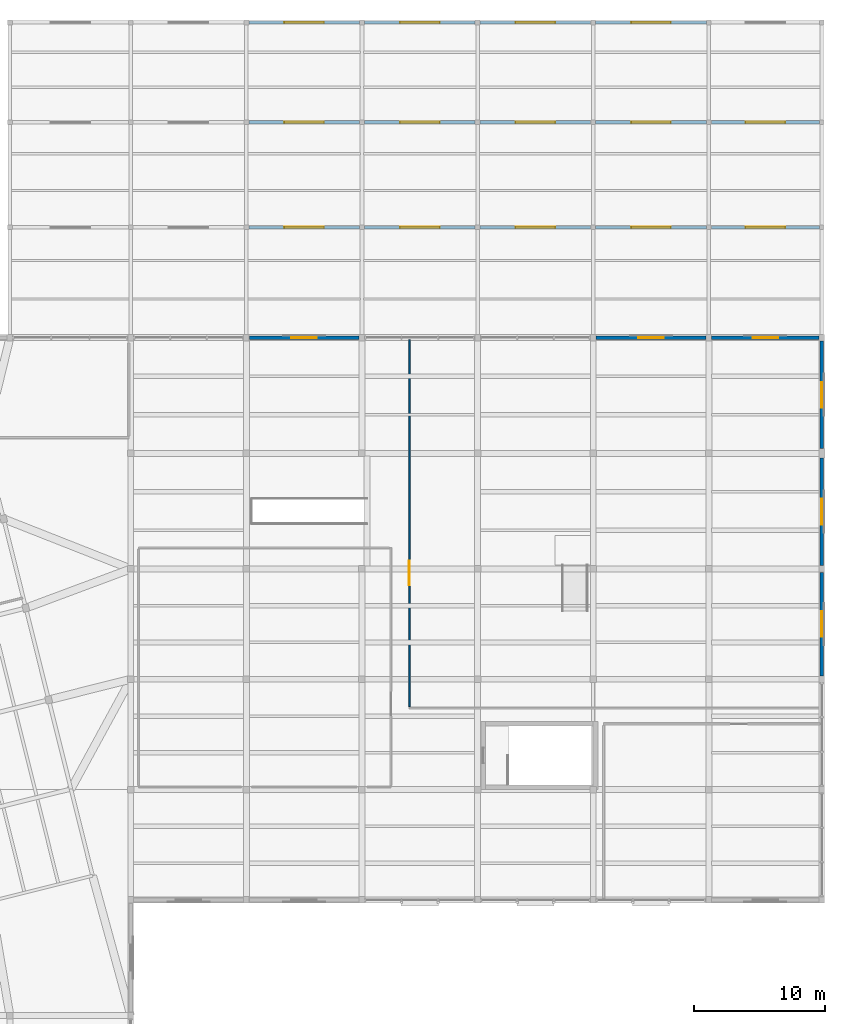
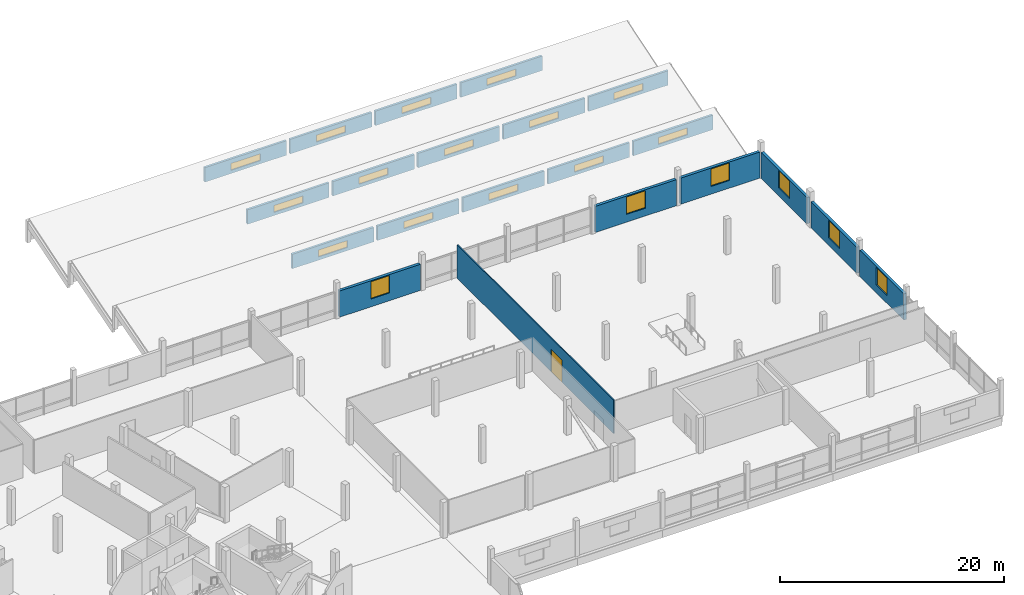
# One storey, part 55 of 62: 21 walls, 20 windows, 1 door, 21 openings.
"""IFC4 building model written with IfcOpenShell, lengths in metres."""

from ifc_helpers import new_model, si_unit, direction, frame, frame_2d, origin, place, context, subcontext, project, spatial, rectangle, extrude, material, layer, layer_set, type_object, element, fill, save


model = new_model("IFC4")

# Units and contexts
model_context = context("Model", 3, precision=1e-05, world=origin(), true_north=direction((0.0, 1.0)))
body_context = subcontext(model_context, "Body", "Model", "MODEL_VIEW")
ifc_project = project(units=[si_unit("LENGTHUNIT", "METRE"), si_unit("AREAUNIT", "SQUARE_METRE"), si_unit("VOLUMEUNIT", "CUBIC_METRE"), si_unit("PLANEANGLEUNIT", "RADIAN"), si_unit("MASSUNIT", "GRAM", prefix="KILO")], contexts=[model_context])

# Site, building, storey
site_placement = place(None, origin())
site = spatial("IfcSite", under=ifc_project, at=site_placement, CompositionType="ELEMENT")
building_placement = place(site_placement, origin())
building = spatial("IfcBuilding", under=site, at=building_placement, Name="Meriwether Solvik Hall", CompositionType="ELEMENT")
storey_placement = place(building_placement, frame((0.0, 0.0, 14.39990234375)))
storey = spatial("IfcBuildingStorey", under=building, at=storey_placement, Name="L03", CompositionType="ELEMENT", Elevation=14.39990234375)

# Wall, opening, window
ifc_material_1 = material(Name="Cross-Laminated Timber and Mineral-Wool Insulation", Category="wood")
ifc_layer_1 = layer(ifc_material_1, 0.2900390625)
ifc_layer_set_1 = layer_set([ifc_layer_1], Name="Cross-Laminated Timber and Mineral-Wool Insulation")
wall_type_1 = type_object("IfcWallType", Name="WALL-EXT-290", PredefinedType="SOLIDWALL", material=ifc_layer_set_1)
wall_1_placement = place(storey_placement, frame((123.221923828125, 92.800048828125, 0.0), z_axis=(0.0, 0.0, 1.0), x_axis=(1.0, 0.0, 0.0)))
wall_1 = element("IfcWall", 1, at=wall_1_placement, inside=storey, type_object=wall_type_1, Name="L03 N Wing Facade Wall XK_14_19", PredefinedType="SOLIDWALL", context=body_context, shape_type="SweptSolid", body=[
    extrude(rectangle(XDim=8.35595703125, YDim=0.2900390625, at=frame_2d((4.177978515625, 0.0))), origin(), (0.0, 0.0, 1.0), 2.85498046875),
])
opening_1_placement = place(wall_1_placement, frame((3.202880859375, 0.0, 0.85009765625)))
opening_1 = element("IfcOpeningElement", 2, at=opening_1_placement, cuts=wall_1, Name="Opening WN-158", PredefinedType="OPENING", context=body_context, shape_type="SweptSolid", body=[
    extrude(rectangle(XDim=1.949951171875, YDim=1.89990234375, at=frame_2d((0.97509765625, 0.949951171875))), frame((0.0, 0.156982421875, 0.0), z_axis=(0.0, -1.0, 0.0), x_axis=(1.0, 0.0, 0.0)), (0.0, 0.0, 1.0), 0.31396484375),
])
ifc_material_2 = material(Name="Thermally Broken Anodised Aluminium and Triple Low-E Glass", Category="aluminium")
window_type_1 = type_object("IfcWindowType", Name="WIN-TW-LOW-195X190", PartitioningType="SINGLE_PANEL", PredefinedType="WINDOW", material=ifc_material_2)
window_1_placement = place(opening_1_placement, origin())
window_1 = element("IfcWindow", 3, at=window_1_placement, inside=storey, type_object=window_type_1, Name="L03 N Window XK_14_19", OverallHeight=1.89990234375, OverallWidth=1.949951171875, PartitioningType="SINGLE_PANEL", PredefinedType="WINDOW", context=body_context, shape_type="SweptSolid", body=[
    extrude(rectangle(XDim=1.949951171875, YDim=1.89990234375, at=frame_2d((0.97509765625, 0.949951171875))), frame((0.0, 0.030029296875, 0.0), z_axis=(0.0, -1.0, 0.0), x_axis=(1.0, 0.0, 0.0)), (0.0, 0.0, 1.0), 0.06005859375),
])
fill(opening_1, window_1)

wall_2_placement = place(storey_placement, frame((149.6220703125, 92.800048828125, 0.0), z_axis=(0.0, 0.0, 1.0), x_axis=(1.0, 0.0, 0.0)))
wall_2 = element("IfcWall", 4, at=wall_2_placement, inside=storey, type_object=wall_type_1, Name="L03 N Wing Facade Wall XK_17_22", PredefinedType="SOLIDWALL", context=body_context, shape_type="SweptSolid", body=[
    extrude(rectangle(XDim=8.35595703125, YDim=0.2900390625, at=frame_2d((4.177978515625, 0.0))), origin(), (0.0, 0.0, 1.0), 2.85498046875),
])
opening_2_placement = place(wall_2_placement, frame((3.202880859375, 0.0, 0.85009765625)))
opening_2 = element("IfcOpeningElement", 5, at=opening_2_placement, cuts=wall_2, Name="Opening WN-158", PredefinedType="OPENING", context=body_context, shape_type="SweptSolid", body=[
    extrude(rectangle(XDim=1.949951171875, YDim=1.89990234375, at=frame_2d((0.97509765625, 0.949951171875))), frame((0.0, 0.156982421875, 0.0), z_axis=(0.0, -1.0, 0.0), x_axis=(1.0, 0.0, 0.0)), (0.0, 0.0, 1.0), 0.31396484375),
])
window_2_placement = place(opening_2_placement, origin())
window_2 = element("IfcWindow", 6, at=window_2_placement, inside=storey, type_object=window_type_1, Name="L03 N Window XK_17_22", OverallHeight=1.89990234375, OverallWidth=1.949951171875, PartitioningType="SINGLE_PANEL", PredefinedType="WINDOW", context=body_context, shape_type="SweptSolid", body=[
    extrude(rectangle(XDim=1.949951171875, YDim=1.89990234375, at=frame_2d((0.97509765625, 0.949951171875))), frame((0.0, 0.030029296875, 0.0), z_axis=(0.0, -1.0, 0.0), x_axis=(1.0, 0.0, 0.0)), (0.0, 0.0, 1.0), 0.06005859375),
])
fill(opening_2, window_2)

wall_3_placement = place(storey_placement, frame((158.422119140625, 92.800048828125, 0.0), z_axis=(0.0, 0.0, 1.0), x_axis=(1.0, 0.0, 0.0)))
wall_3 = element("IfcWall", 7, at=wall_3_placement, inside=storey, type_object=wall_type_1, Name="L03 N Wing Facade Wall XK_18_23", PredefinedType="SOLIDWALL", context=body_context, shape_type="SweptSolid", body=[
    extrude(rectangle(XDim=8.15576171875, YDim=0.2900390625, at=frame_2d((4.077880859375, 0.0))), origin(), (0.0, 0.0, 1.0), 2.85498046875),
])
opening_3_placement = place(wall_3_placement, frame((3.10302734375, 0.0, 0.85009765625)))
opening_3 = element("IfcOpeningElement", 8, at=opening_3_placement, cuts=wall_3, Name="Opening WN-158", PredefinedType="OPENING", context=body_context, shape_type="SweptSolid", body=[
    extrude(rectangle(XDim=1.949951171875, YDim=1.89990234375, at=frame_2d((0.97509765625, 0.949951171875))), frame((0.0, 0.156982421875, 0.0), z_axis=(0.0, -1.0, 0.0), x_axis=(1.0, 0.0, 0.0)), (0.0, 0.0, 1.0), 0.31396484375),
])
window_3_placement = place(opening_3_placement, origin())
window_3 = element("IfcWindow", 9, at=window_3_placement, inside=storey, type_object=window_type_1, Name="L03 N Window XK_18_23", OverallHeight=1.89990234375, OverallWidth=1.949951171875, PartitioningType="SINGLE_PANEL", PredefinedType="WINDOW", context=body_context, shape_type="SweptSolid", body=[
    extrude(rectangle(XDim=1.949951171875, YDim=1.89990234375, at=frame_2d((0.97509765625, 0.949951171875))), frame((0.0, 0.030029296875, 0.0), z_axis=(0.0, -1.0, 0.0), x_axis=(1.0, 0.0, 0.0)), (0.0, 0.0, 1.0), 0.06005859375),
])
fill(opening_3, window_3)

wall_4_placement = place(storey_placement, frame((166.800048828125, 74.9404296875, 0.0), z_axis=(0.0, 0.0, 1.0), x_axis=(0.0, -1.0, 0.0)))
wall_4 = element("IfcWall", 10, at=wall_4_placement, inside=storey, type_object=wall_type_1, Name="L03 E Wing Facade Wall Y19_8_41", PredefinedType="SOLIDWALL", context=body_context, shape_type="SweptSolid", body=[
    extrude(rectangle(XDim=7.880859375, YDim=0.2900390625, at=frame_2d((3.9404296875, 0.0))), origin(), (0.0, 0.0, 1.0), 2.85498046875),
])
opening_4_placement = place(wall_4_placement, frame((2.965576171875, 0.0, 0.85009765625)))
opening_4 = element("IfcOpeningElement", 11, at=opening_4_placement, cuts=wall_4, Name="Opening WN-158", PredefinedType="OPENING", context=body_context, shape_type="SweptSolid", body=[
    extrude(rectangle(XDim=1.949951171875, YDim=1.89990234375, at=frame_2d((0.97509765625, 0.949951171875))), frame((0.0, 0.156982421875, 0.0), z_axis=(0.0, -1.0, 0.0), x_axis=(1.0, 0.0, 0.0)), (0.0, 0.0, 1.0), 0.31396484375),
])
window_4_placement = place(opening_4_placement, origin())
window_4 = element("IfcWindow", 12, at=window_4_placement, inside=storey, type_object=window_type_1, Name="L03 E Window Y19_8_41", OverallHeight=1.89990234375, OverallWidth=1.949951171875, PartitioningType="SINGLE_PANEL", PredefinedType="WINDOW", context=body_context, shape_type="SweptSolid", body=[
    extrude(rectangle(XDim=1.949951171875, YDim=1.89990234375, at=frame_2d((0.97509765625, 0.949951171875))), frame((0.0, 0.030029296875, 0.0), z_axis=(0.0, -1.0, 0.0), x_axis=(1.0, 0.0, 0.0)), (0.0, 0.0, 1.0), 0.06005859375),
])
fill(opening_4, window_4)

wall_5_placement = place(storey_placement, frame((166.800048828125, 83.637939453125, 0.0), z_axis=(0.0, 0.0, 1.0), x_axis=(0.0, -1.0, 0.0)))
wall_5 = element("IfcWall", 13, at=wall_5_placement, inside=storey, type_object=wall_type_1, Name="L03 E Wing Facade Wall Y19_9_42", PredefinedType="SOLIDWALL", context=body_context, shape_type="SweptSolid", body=[
    extrude(rectangle(XDim=8.178466796875, YDim=0.2900390625, at=frame_2d((4.08935546875, 0.0))), origin(), (0.0, 0.0, 1.0), 2.85498046875),
])
opening_5_placement = place(wall_5_placement, frame((3.1142578125, 0.0, 0.85009765625)))
opening_5 = element("IfcOpeningElement", 14, at=opening_5_placement, cuts=wall_5, Name="Opening WN-158", PredefinedType="OPENING", context=body_context, shape_type="SweptSolid", body=[
    extrude(rectangle(XDim=1.949951171875, YDim=1.89990234375, at=frame_2d((0.97509765625, 0.949951171875))), frame((0.0, 0.156982421875, 0.0), z_axis=(0.0, -1.0, 0.0), x_axis=(1.0, 0.0, 0.0)), (0.0, 0.0, 1.0), 0.31396484375),
])
window_5_placement = place(opening_5_placement, origin())
window_5 = element("IfcWindow", 15, at=window_5_placement, inside=storey, type_object=window_type_1, Name="L03 E Window Y19_9_42", OverallHeight=1.89990234375, OverallWidth=1.949951171875, PartitioningType="SINGLE_PANEL", PredefinedType="WINDOW", context=body_context, shape_type="SweptSolid", body=[
    extrude(rectangle(XDim=1.949951171875, YDim=1.89990234375, at=frame_2d((0.97509765625, 0.949951171875))), frame((0.0, 0.030029296875, 0.0), z_axis=(0.0, -1.0, 0.0), x_axis=(1.0, 0.0, 0.0)), (0.0, 0.0, 1.0), 0.06005859375),
])
fill(opening_5, window_5)

wall_6_placement = place(storey_placement, frame((166.800048828125, 92.54052734375, 0.0), z_axis=(0.0, 0.0, 1.0), x_axis=(0.0, -1.0, 0.0)))
wall_6 = element("IfcWall", 16, at=wall_6_placement, inside=storey, type_object=wall_type_1, Name="L03 E Wing Facade Wall Y19_10_43", PredefinedType="SOLIDWALL", context=body_context, shape_type="SweptSolid", body=[
    extrude(rectangle(XDim=8.178466796875, YDim=0.2900390625, at=frame_2d((4.08935546875, 0.0))), origin(), (0.0, 0.0, 1.0), 2.85498046875),
])
opening_6_placement = place(wall_6_placement, frame((3.1142578125, 0.0, 0.85009765625)))
opening_6 = element("IfcOpeningElement", 17, at=opening_6_placement, cuts=wall_6, Name="Opening WN-158", PredefinedType="OPENING", context=body_context, shape_type="SweptSolid", body=[
    extrude(rectangle(XDim=1.949951171875, YDim=1.89990234375, at=frame_2d((0.97509765625, 0.949951171875))), frame((0.0, 0.156982421875, 0.0), z_axis=(0.0, -1.0, 0.0), x_axis=(1.0, 0.0, 0.0)), (0.0, 0.0, 1.0), 0.31396484375),
])
window_6_placement = place(opening_6_placement, origin())
window_6 = element("IfcWindow", 18, at=window_6_placement, inside=storey, type_object=window_type_1, Name="L03 E Window Y19_10_43", OverallHeight=1.89990234375, OverallWidth=1.949951171875, PartitioningType="SINGLE_PANEL", PredefinedType="WINDOW", context=body_context, shape_type="SweptSolid", body=[
    extrude(rectangle(XDim=1.949951171875, YDim=1.89990234375, at=frame_2d((0.97509765625, 0.949951171875))), frame((0.0, 0.030029296875, 0.0), z_axis=(0.0, -1.0, 0.0), x_axis=(1.0, 0.0, 0.0)), (0.0, 0.0, 1.0), 0.06005859375),
])
fill(opening_6, window_6)

# Wall, opening, door
ifc_material_3 = material(Name="Tempered Laminated Glass in Anodised Aluminium Frame", Category="aluminium")
ifc_layer_2 = layer(ifc_material_3, 0.112060546875)
ifc_layer_set_2 = layer_set([ifc_layer_2], Name="Tempered Laminated Glass in Anodised Aluminium Frame")
wall_type_2 = type_object("IfcWallType", Name="WALL-GLZ-112", PredefinedType="PARTITIONING", material=ifc_layer_set_2)
wall_7_placement = place(storey_placement, frame((135.39990234375, 64.719970703125, 0.0), z_axis=(0.0, 0.0, 1.0), x_axis=(0.0, 1.0, 0.0)))
wall_7 = element("IfcWall", 19, at=wall_7_placement, inside=storey, type_object=wall_type_2, Name="L03 Interior Partition lib_read_w", PredefinedType="PARTITIONING", context=body_context, shape_type="SweptSolid", body=[
    extrude(rectangle(XDim=27.929931640625, YDim=0.112060546875, at=frame_2d((13.96484375, 0.0))), origin(), (0.0, 0.0, 1.0), 3.655029296875),
])
opening_7_placement = place(wall_7_placement, frame((9.219482421875, 0.0, 0.0)))
opening_7 = element("IfcOpeningElement", 20, at=opening_7_placement, cuts=wall_7, Name="Opening D-156", PredefinedType="OPENING", context=body_context, shape_type="SweptSolid", body=[
    extrude(rectangle(XDim=1.89990234375, YDim=2.449951171875, at=frame_2d((0.949951171875, 1.22509765625))), frame((0.0, 0.06787109375, 0.0), z_axis=(0.0, -1.0, 0.0), x_axis=(1.0, 0.0, 0.0)), (0.0, 0.0, 1.0), 0.135986328125),
])
ifc_material_4 = material(Name="Solid-Core Rift White Oak Timber", Category="wood")
door_type = type_object("IfcDoorType", Name="DR-HALL-1900", OperationType="DOUBLE_DOOR_SINGLE_SWING", PredefinedType="DOOR", material=ifc_material_4)
door_placement = place(opening_7_placement, origin())
door = element("IfcDoor", 21, at=door_placement, inside=storey, type_object=door_type, Name="Community Library Reading Hall Door", OperationType="DOUBLE_DOOR_SINGLE_SWING", OverallHeight=2.449951171875, OverallWidth=1.89990234375, PredefinedType="DOOR", context=body_context, shape_type="SweptSolid", body=[
    extrude(rectangle(XDim=1.89990234375, YDim=2.449951171875, at=frame_2d((0.949951171875, 1.22509765625))), frame((0.0, 0.02490234375, 0.0), z_axis=(0.0, -1.0, 0.0), x_axis=(1.0, 0.0, 0.0)), (0.0, 0.0, 1.0), 0.050048828125),
])
fill(opening_7, door)

# Wall, opening, window
ifc_material_5 = material(Name="Cross-Laminated Timber and Polyisocyanurate Insulation", Category="wood")
ifc_layer_3 = layer(ifc_material_5, 0.22998046875)
ifc_layer_set_3 = layer_set([ifc_layer_3], Name="Cross-Laminated Timber and Polyisocyanurate Insulation")
wall_type_3 = type_object("IfcWallType", Name="WALL-MON-230", PredefinedType="SOLIDWALL", material=ifc_layer_set_3)
wall_8_placement = place(storey_placement, frame((131.610107421875, 101.199951171875, 0.175048828125), z_axis=(0.0, 0.0, 1.0), x_axis=(-1.0, 0.0, 0.0)))
wall_8 = element("IfcWall", 22, at=wall_8_placement, inside=storey, type_object=wall_type_3, Name="Sawtooth Monitor Clerestory Wall w2_saw_1_b3", PredefinedType="SOLIDWALL", context=body_context, shape_type="SweptSolid", body=[
    extrude(rectangle(XDim=8.420166015625, YDim=0.22998046875, at=frame_2d((4.2099609375, 0.0))), origin(), (0.0, 0.0, 1.0), 1.57568359375),
])
opening_8_placement = place(wall_8_placement, frame((2.7099609375, 0.0, 0.35009765625)))
opening_8 = element("IfcOpeningElement", 23, at=opening_8_placement, cuts=wall_8, Name="Opening SK-164", PredefinedType="OPENING", context=body_context, shape_type="SweptSolid", body=[
    extrude(rectangle(XDim=3.0, YDim=0.75, at=frame_2d((1.5, 0.375))), frame((0.0, 0.126953125, 0.0), z_axis=(0.0, -1.0, 0.0), x_axis=(1.0, 0.0, 0.0)), (0.0, 0.0, 1.0), 0.25390625),
])
ifc_material_6 = material(Name="Thermally Broken Anodised Aluminium and Triple Low-E Glass", Category="aluminium")
window_type_2 = type_object("IfcWindowType", Name="SKY-MON-300X075", PartitioningType="SINGLE_PANEL", PredefinedType="SKYLIGHT", material=ifc_material_6)
window_7_placement = place(opening_8_placement, origin())
window_7 = element("IfcWindow", 24, at=window_7_placement, inside=storey, type_object=window_type_2, Name="Sawtooth Northlight Skylight w2_saw_1_b3-1", OverallHeight=0.75, OverallWidth=3.0, PartitioningType="SINGLE_PANEL", PredefinedType="SKYLIGHT", context=body_context, shape_type="SweptSolid", body=[
    extrude(rectangle(XDim=3.0, YDim=0.75, at=frame_2d((1.5, 0.375))), frame((0.0, 0.030029296875, 0.0), z_axis=(0.0, -1.0, 0.0), x_axis=(1.0, 0.0, 0.0)), (0.0, 0.0, 1.0), 0.06005859375),
])
fill(opening_8, window_7)

wall_9_placement = place(storey_placement, frame((140.409912109375, 101.199951171875, 0.175048828125), z_axis=(0.0, 0.0, 1.0), x_axis=(-1.0, 0.0, 0.0)))
wall_9 = element("IfcWall", 25, at=wall_9_placement, inside=storey, type_object=wall_type_3, Name="Sawtooth Monitor Clerestory Wall w2_saw_1_b4", PredefinedType="SOLIDWALL", context=body_context, shape_type="SweptSolid", body=[
    extrude(rectangle(XDim=8.419921875, YDim=0.22998046875, at=frame_2d((4.2099609375, 0.0))), origin(), (0.0, 0.0, 1.0), 1.57568359375),
])
opening_9_placement = place(wall_9_placement, frame((2.7099609375, 0.0, 0.35009765625)))
opening_9 = element("IfcOpeningElement", 26, at=opening_9_placement, cuts=wall_9, Name="Opening SK-164", PredefinedType="OPENING", context=body_context, shape_type="SweptSolid", body=[
    extrude(rectangle(XDim=3.0, YDim=0.75, at=frame_2d((1.5, 0.375))), frame((0.0, 0.126953125, 0.0), z_axis=(0.0, -1.0, 0.0), x_axis=(1.0, 0.0, 0.0)), (0.0, 0.0, 1.0), 0.25390625),
])
window_8_placement = place(opening_9_placement, origin())
window_8 = element("IfcWindow", 27, at=window_8_placement, inside=storey, type_object=window_type_2, Name="Sawtooth Northlight Skylight w2_saw_1_b4-1", OverallHeight=0.75, OverallWidth=3.0, PartitioningType="SINGLE_PANEL", PredefinedType="SKYLIGHT", context=body_context, shape_type="SweptSolid", body=[
    extrude(rectangle(XDim=3.0, YDim=0.75, at=frame_2d((1.5, 0.375))), frame((0.0, 0.030029296875, 0.0), z_axis=(0.0, -1.0, 0.0), x_axis=(1.0, 0.0, 0.0)), (0.0, 0.0, 1.0), 0.06005859375),
])
fill(opening_9, window_8)

wall_10_placement = place(storey_placement, frame((149.2099609375, 101.199951171875, 0.175048828125), z_axis=(0.0, 0.0, 1.0), x_axis=(-1.0, 0.0, 0.0)))
wall_10 = element("IfcWall", 28, at=wall_10_placement, inside=storey, type_object=wall_type_3, Name="Sawtooth Monitor Clerestory Wall w2_saw_1_b5", PredefinedType="SOLIDWALL", context=body_context, shape_type="SweptSolid", body=[
    extrude(rectangle(XDim=8.419921875, YDim=0.22998046875, at=frame_2d((4.2099609375, 0.0))), origin(), (0.0, 0.0, 1.0), 1.57568359375),
])
opening_10_placement = place(wall_10_placement, frame((2.7099609375, 0.0, 0.35009765625)))
opening_10 = element("IfcOpeningElement", 29, at=opening_10_placement, cuts=wall_10, Name="Opening SK-164", PredefinedType="OPENING", context=body_context, shape_type="SweptSolid", body=[
    extrude(rectangle(XDim=3.0, YDim=0.75, at=frame_2d((1.5, 0.375))), frame((0.0, 0.126953125, 0.0), z_axis=(0.0, -1.0, 0.0), x_axis=(1.0, 0.0, 0.0)), (0.0, 0.0, 1.0), 0.25390625),
])
window_9_placement = place(opening_10_placement, origin())
window_9 = element("IfcWindow", 30, at=window_9_placement, inside=storey, type_object=window_type_2, Name="Sawtooth Northlight Skylight w2_saw_1_b5-1", OverallHeight=0.75, OverallWidth=3.0, PartitioningType="SINGLE_PANEL", PredefinedType="SKYLIGHT", context=body_context, shape_type="SweptSolid", body=[
    extrude(rectangle(XDim=3.0, YDim=0.75, at=frame_2d((1.5, 0.375))), frame((0.0, 0.030029296875, 0.0), z_axis=(0.0, -1.0, 0.0), x_axis=(1.0, 0.0, 0.0)), (0.0, 0.0, 1.0), 0.06005859375),
])
fill(opening_10, window_9)

wall_11_placement = place(storey_placement, frame((158.010009765625, 101.199951171875, 0.175048828125), z_axis=(0.0, 0.0, 1.0), x_axis=(-1.0, 0.0, 0.0)))
wall_11 = element("IfcWall", 31, at=wall_11_placement, inside=storey, type_object=wall_type_3, Name="Sawtooth Monitor Clerestory Wall w2_saw_1_b6", PredefinedType="SOLIDWALL", context=body_context, shape_type="SweptSolid", body=[
    extrude(rectangle(XDim=8.419921875, YDim=0.22998046875, at=frame_2d((4.2099609375, 0.0))), origin(), (0.0, 0.0, 1.0), 1.57568359375),
])
opening_11_placement = place(wall_11_placement, frame((2.7099609375, 0.0, 0.35009765625)))
opening_11 = element("IfcOpeningElement", 32, at=opening_11_placement, cuts=wall_11, Name="Opening SK-164", PredefinedType="OPENING", context=body_context, shape_type="SweptSolid", body=[
    extrude(rectangle(XDim=3.0, YDim=0.75, at=frame_2d((1.5, 0.375))), frame((0.0, 0.126953125, 0.0), z_axis=(0.0, -1.0, 0.0), x_axis=(1.0, 0.0, 0.0)), (0.0, 0.0, 1.0), 0.25390625),
])
window_10_placement = place(opening_11_placement, origin())
window_10 = element("IfcWindow", 33, at=window_10_placement, inside=storey, type_object=window_type_2, Name="Sawtooth Northlight Skylight w2_saw_1_b6-1", OverallHeight=0.75, OverallWidth=3.0, PartitioningType="SINGLE_PANEL", PredefinedType="SKYLIGHT", context=body_context, shape_type="SweptSolid", body=[
    extrude(rectangle(XDim=3.0, YDim=0.75, at=frame_2d((1.5, 0.375))), frame((0.0, 0.030029296875, 0.0), z_axis=(0.0, -1.0, 0.0), x_axis=(1.0, 0.0, 0.0)), (0.0, 0.0, 1.0), 0.06005859375),
])
fill(opening_11, window_10)

wall_12_placement = place(storey_placement, frame((166.610107421875, 101.199951171875, 0.175048828125), z_axis=(0.0, 0.0, 1.0), x_axis=(-1.0, 0.0, 0.0)))
wall_12 = element("IfcWall", 34, at=wall_12_placement, inside=storey, type_object=wall_type_3, Name="Sawtooth Monitor Clerestory Wall w2_saw_1_b7", PredefinedType="SOLIDWALL", context=body_context, shape_type="SweptSolid", body=[
    extrude(rectangle(XDim=8.22021484375, YDim=0.22998046875, at=frame_2d((4.110107421875, 0.0))), origin(), (0.0, 0.0, 1.0), 1.57568359375),
])
opening_12_placement = place(wall_12_placement, frame((2.610107421875, 0.0, 0.35009765625)))
opening_12 = element("IfcOpeningElement", 35, at=opening_12_placement, cuts=wall_12, Name="Opening SK-164", PredefinedType="OPENING", context=body_context, shape_type="SweptSolid", body=[
    extrude(rectangle(XDim=3.0, YDim=0.75, at=frame_2d((1.5, 0.375))), frame((0.0, 0.126953125, 0.0), z_axis=(0.0, -1.0, 0.0), x_axis=(1.0, 0.0, 0.0)), (0.0, 0.0, 1.0), 0.25390625),
])
window_11_placement = place(opening_12_placement, origin())
window_11 = element("IfcWindow", 36, at=window_11_placement, inside=storey, type_object=window_type_2, Name="Sawtooth Northlight Skylight w2_saw_1_b7-1", OverallHeight=0.75, OverallWidth=3.0, PartitioningType="SINGLE_PANEL", PredefinedType="SKYLIGHT", context=body_context, shape_type="SweptSolid", body=[
    extrude(rectangle(XDim=3.0, YDim=0.75, at=frame_2d((1.5, 0.375))), frame((0.0, 0.030029296875, 0.0), z_axis=(0.0, -1.0, 0.0), x_axis=(1.0, 0.0, 0.0)), (0.0, 0.0, 1.0), 0.06005859375),
])
fill(opening_12, window_11)

wall_13_placement = place(storey_placement, frame((131.610107421875, 109.199951171875, 0.175048828125), z_axis=(0.0, 0.0, 1.0), x_axis=(-1.0, 0.0, 0.0)))
wall_13 = element("IfcWall", 37, at=wall_13_placement, inside=storey, type_object=wall_type_3, Name="Sawtooth Monitor Clerestory Wall w2_saw_2_b3", PredefinedType="SOLIDWALL", context=body_context, shape_type="SweptSolid", body=[
    extrude(rectangle(XDim=8.420166015625, YDim=0.22998046875, at=frame_2d((4.2099609375, 0.0))), origin(), (0.0, 0.0, 1.0), 1.5751953125),
])
opening_13_placement = place(wall_13_placement, frame((2.7099609375, 0.0, 0.35009765625)))
opening_13 = element("IfcOpeningElement", 38, at=opening_13_placement, cuts=wall_13, Name="Opening SK-164", PredefinedType="OPENING", context=body_context, shape_type="SweptSolid", body=[
    extrude(rectangle(XDim=3.0, YDim=0.75, at=frame_2d((1.5, 0.375))), frame((0.0, 0.126953125, 0.0), z_axis=(0.0, -1.0, 0.0), x_axis=(1.0, 0.0, 0.0)), (0.0, 0.0, 1.0), 0.25390625),
])
window_12_placement = place(opening_13_placement, origin())
window_12 = element("IfcWindow", 39, at=window_12_placement, inside=storey, type_object=window_type_2, Name="Sawtooth Northlight Skylight w2_saw_2_b3-1", OverallHeight=0.75, OverallWidth=3.0, PartitioningType="SINGLE_PANEL", PredefinedType="SKYLIGHT", context=body_context, shape_type="SweptSolid", body=[
    extrude(rectangle(XDim=3.0, YDim=0.75, at=frame_2d((1.5, 0.375))), frame((0.0, 0.030029296875, 0.0), z_axis=(0.0, -1.0, 0.0), x_axis=(1.0, 0.0, 0.0)), (0.0, 0.0, 1.0), 0.06005859375),
])
fill(opening_13, window_12)

wall_14_placement = place(storey_placement, frame((140.409912109375, 109.199951171875, 0.175048828125), z_axis=(0.0, 0.0, 1.0), x_axis=(-1.0, 0.0, 0.0)))
wall_14 = element("IfcWall", 40, at=wall_14_placement, inside=storey, type_object=wall_type_3, Name="Sawtooth Monitor Clerestory Wall w2_saw_2_b4", PredefinedType="SOLIDWALL", context=body_context, shape_type="SweptSolid", body=[
    extrude(rectangle(XDim=8.419921875, YDim=0.22998046875, at=frame_2d((4.2099609375, 0.0))), origin(), (0.0, 0.0, 1.0), 1.5751953125),
])
opening_14_placement = place(wall_14_placement, frame((2.7099609375, 0.0, 0.35009765625)))
opening_14 = element("IfcOpeningElement", 41, at=opening_14_placement, cuts=wall_14, Name="Opening SK-164", PredefinedType="OPENING", context=body_context, shape_type="SweptSolid", body=[
    extrude(rectangle(XDim=3.0, YDim=0.75, at=frame_2d((1.5, 0.375))), frame((0.0, 0.126953125, 0.0), z_axis=(0.0, -1.0, 0.0), x_axis=(1.0, 0.0, 0.0)), (0.0, 0.0, 1.0), 0.25390625),
])
window_13_placement = place(opening_14_placement, origin())
window_13 = element("IfcWindow", 42, at=window_13_placement, inside=storey, type_object=window_type_2, Name="Sawtooth Northlight Skylight w2_saw_2_b4-1", OverallHeight=0.75, OverallWidth=3.0, PartitioningType="SINGLE_PANEL", PredefinedType="SKYLIGHT", context=body_context, shape_type="SweptSolid", body=[
    extrude(rectangle(XDim=3.0, YDim=0.75, at=frame_2d((1.5, 0.375))), frame((0.0, 0.030029296875, 0.0), z_axis=(0.0, -1.0, 0.0), x_axis=(1.0, 0.0, 0.0)), (0.0, 0.0, 1.0), 0.06005859375),
])
fill(opening_14, window_13)

wall_15_placement = place(storey_placement, frame((149.2099609375, 109.199951171875, 0.175048828125), z_axis=(0.0, 0.0, 1.0), x_axis=(-1.0, 0.0, 0.0)))
wall_15 = element("IfcWall", 43, at=wall_15_placement, inside=storey, type_object=wall_type_3, Name="Sawtooth Monitor Clerestory Wall w2_saw_2_b5", PredefinedType="SOLIDWALL", context=body_context, shape_type="SweptSolid", body=[
    extrude(rectangle(XDim=8.419921875, YDim=0.22998046875, at=frame_2d((4.2099609375, 0.0))), origin(), (0.0, 0.0, 1.0), 1.5751953125),
])
opening_15_placement = place(wall_15_placement, frame((2.7099609375, 0.0, 0.35009765625)))
opening_15 = element("IfcOpeningElement", 44, at=opening_15_placement, cuts=wall_15, Name="Opening SK-164", PredefinedType="OPENING", context=body_context, shape_type="SweptSolid", body=[
    extrude(rectangle(XDim=3.0, YDim=0.75, at=frame_2d((1.5, 0.375))), frame((0.0, 0.126953125, 0.0), z_axis=(0.0, -1.0, 0.0), x_axis=(1.0, 0.0, 0.0)), (0.0, 0.0, 1.0), 0.25390625),
])
window_14_placement = place(opening_15_placement, origin())
window_14 = element("IfcWindow", 45, at=window_14_placement, inside=storey, type_object=window_type_2, Name="Sawtooth Northlight Skylight w2_saw_2_b5-1", OverallHeight=0.75, OverallWidth=3.0, PartitioningType="SINGLE_PANEL", PredefinedType="SKYLIGHT", context=body_context, shape_type="SweptSolid", body=[
    extrude(rectangle(XDim=3.0, YDim=0.75, at=frame_2d((1.5, 0.375))), frame((0.0, 0.030029296875, 0.0), z_axis=(0.0, -1.0, 0.0), x_axis=(1.0, 0.0, 0.0)), (0.0, 0.0, 1.0), 0.06005859375),
])
fill(opening_15, window_14)

wall_16_placement = place(storey_placement, frame((158.010009765625, 109.199951171875, 0.175048828125), z_axis=(0.0, 0.0, 1.0), x_axis=(-1.0, 0.0, 0.0)))
wall_16 = element("IfcWall", 46, at=wall_16_placement, inside=storey, type_object=wall_type_3, Name="Sawtooth Monitor Clerestory Wall w2_saw_2_b6", PredefinedType="SOLIDWALL", context=body_context, shape_type="SweptSolid", body=[
    extrude(rectangle(XDim=8.419921875, YDim=0.22998046875, at=frame_2d((4.2099609375, 0.0))), origin(), (0.0, 0.0, 1.0), 1.5751953125),
])
opening_16_placement = place(wall_16_placement, frame((2.7099609375, 0.0, 0.35009765625)))
opening_16 = element("IfcOpeningElement", 47, at=opening_16_placement, cuts=wall_16, Name="Opening SK-164", PredefinedType="OPENING", context=body_context, shape_type="SweptSolid", body=[
    extrude(rectangle(XDim=3.0, YDim=0.75, at=frame_2d((1.5, 0.375))), frame((0.0, 0.126953125, 0.0), z_axis=(0.0, -1.0, 0.0), x_axis=(1.0, 0.0, 0.0)), (0.0, 0.0, 1.0), 0.25390625),
])
window_15_placement = place(opening_16_placement, origin())
window_15 = element("IfcWindow", 48, at=window_15_placement, inside=storey, type_object=window_type_2, Name="Sawtooth Northlight Skylight w2_saw_2_b6-1", OverallHeight=0.75, OverallWidth=3.0, PartitioningType="SINGLE_PANEL", PredefinedType="SKYLIGHT", context=body_context, shape_type="SweptSolid", body=[
    extrude(rectangle(XDim=3.0, YDim=0.75, at=frame_2d((1.5, 0.375))), frame((0.0, 0.030029296875, 0.0), z_axis=(0.0, -1.0, 0.0), x_axis=(1.0, 0.0, 0.0)), (0.0, 0.0, 1.0), 0.06005859375),
])
fill(opening_16, window_15)

wall_17_placement = place(storey_placement, frame((166.610107421875, 109.199951171875, 0.175048828125), z_axis=(0.0, 0.0, 1.0), x_axis=(-1.0, 0.0, 0.0)))
wall_17 = element("IfcWall", 49, at=wall_17_placement, inside=storey, type_object=wall_type_3, Name="Sawtooth Monitor Clerestory Wall w2_saw_2_b7", PredefinedType="SOLIDWALL", context=body_context, shape_type="SweptSolid", body=[
    extrude(rectangle(XDim=8.22021484375, YDim=0.22998046875, at=frame_2d((4.110107421875, 0.0))), origin(), (0.0, 0.0, 1.0), 1.5751953125),
])
opening_17_placement = place(wall_17_placement, frame((2.610107421875, 0.0, 0.35009765625)))
opening_17 = element("IfcOpeningElement", 50, at=opening_17_placement, cuts=wall_17, Name="Opening SK-164", PredefinedType="OPENING", context=body_context, shape_type="SweptSolid", body=[
    extrude(rectangle(XDim=3.0, YDim=0.75, at=frame_2d((1.5, 0.375))), frame((0.0, 0.126953125, 0.0), z_axis=(0.0, -1.0, 0.0), x_axis=(1.0, 0.0, 0.0)), (0.0, 0.0, 1.0), 0.25390625),
])
window_16_placement = place(opening_17_placement, origin())
window_16 = element("IfcWindow", 51, at=window_16_placement, inside=storey, type_object=window_type_2, Name="Sawtooth Northlight Skylight w2_saw_2_b7-1", OverallHeight=0.75, OverallWidth=3.0, PartitioningType="SINGLE_PANEL", PredefinedType="SKYLIGHT", context=body_context, shape_type="SweptSolid", body=[
    extrude(rectangle(XDim=3.0, YDim=0.75, at=frame_2d((1.5, 0.375))), frame((0.0, 0.030029296875, 0.0), z_axis=(0.0, -1.0, 0.0), x_axis=(1.0, 0.0, 0.0)), (0.0, 0.0, 1.0), 0.06005859375),
])
fill(opening_17, window_16)

wall_18_placement = place(storey_placement, frame((131.610107421875, 116.800048828125, 0.175048828125), z_axis=(0.0, 0.0, 1.0), x_axis=(-1.0, 0.0, 0.0)))
wall_18 = element("IfcWall", 52, at=wall_18_placement, inside=storey, type_object=wall_type_3, Name="Sawtooth Monitor Clerestory Wall w2_saw_3_b3", PredefinedType="SOLIDWALL", context=body_context, shape_type="SweptSolid", body=[
    extrude(rectangle(XDim=8.420166015625, YDim=0.22998046875, at=frame_2d((4.2099609375, 0.0))), origin(), (0.0, 0.0, 1.0), 1.574462890625),
])
opening_18_placement = place(wall_18_placement, frame((2.7099609375, 0.0, 0.35009765625)))
opening_18 = element("IfcOpeningElement", 53, at=opening_18_placement, cuts=wall_18, Name="Opening SK-164", PredefinedType="OPENING", context=body_context, shape_type="SweptSolid", body=[
    extrude(rectangle(XDim=3.0, YDim=0.75, at=frame_2d((1.5, 0.375))), frame((0.0, 0.126953125, 0.0), z_axis=(0.0, -1.0, 0.0), x_axis=(1.0, 0.0, 0.0)), (0.0, 0.0, 1.0), 0.25390625),
])
window_17_placement = place(opening_18_placement, origin())
window_17 = element("IfcWindow", 54, at=window_17_placement, inside=storey, type_object=window_type_2, Name="Sawtooth Northlight Skylight w2_saw_3_b3-1", OverallHeight=0.75, OverallWidth=3.0, PartitioningType="SINGLE_PANEL", PredefinedType="SKYLIGHT", context=body_context, shape_type="SweptSolid", body=[
    extrude(rectangle(XDim=3.0, YDim=0.75, at=frame_2d((1.5, 0.375))), frame((0.0, 0.030029296875, 0.0), z_axis=(0.0, -1.0, 0.0), x_axis=(1.0, 0.0, 0.0)), (0.0, 0.0, 1.0), 0.06005859375),
])
fill(opening_18, window_17)

wall_19_placement = place(storey_placement, frame((140.409912109375, 116.800048828125, 0.175048828125), z_axis=(0.0, 0.0, 1.0), x_axis=(-1.0, 0.0, 0.0)))
wall_19 = element("IfcWall", 55, at=wall_19_placement, inside=storey, type_object=wall_type_3, Name="Sawtooth Monitor Clerestory Wall w2_saw_3_b4", PredefinedType="SOLIDWALL", context=body_context, shape_type="SweptSolid", body=[
    extrude(rectangle(XDim=8.419921875, YDim=0.22998046875, at=frame_2d((4.2099609375, 0.0))), origin(), (0.0, 0.0, 1.0), 1.574462890625),
])
opening_19_placement = place(wall_19_placement, frame((2.7099609375, 0.0, 0.35009765625)))
opening_19 = element("IfcOpeningElement", 56, at=opening_19_placement, cuts=wall_19, Name="Opening SK-164", PredefinedType="OPENING", context=body_context, shape_type="SweptSolid", body=[
    extrude(rectangle(XDim=3.0, YDim=0.75, at=frame_2d((1.5, 0.375))), frame((0.0, 0.126953125, 0.0), z_axis=(0.0, -1.0, 0.0), x_axis=(1.0, 0.0, 0.0)), (0.0, 0.0, 1.0), 0.25390625),
])
window_18_placement = place(opening_19_placement, origin())
window_18 = element("IfcWindow", 57, at=window_18_placement, inside=storey, type_object=window_type_2, Name="Sawtooth Northlight Skylight w2_saw_3_b4-1", OverallHeight=0.75, OverallWidth=3.0, PartitioningType="SINGLE_PANEL", PredefinedType="SKYLIGHT", context=body_context, shape_type="SweptSolid", body=[
    extrude(rectangle(XDim=3.0, YDim=0.75, at=frame_2d((1.5, 0.375))), frame((0.0, 0.030029296875, 0.0), z_axis=(0.0, -1.0, 0.0), x_axis=(1.0, 0.0, 0.0)), (0.0, 0.0, 1.0), 0.06005859375),
])
fill(opening_19, window_18)

wall_20_placement = place(storey_placement, frame((149.2099609375, 116.800048828125, 0.175048828125), z_axis=(0.0, 0.0, 1.0), x_axis=(-1.0, 0.0, 0.0)))
wall_20 = element("IfcWall", 58, at=wall_20_placement, inside=storey, type_object=wall_type_3, Name="Sawtooth Monitor Clerestory Wall w2_saw_3_b5", PredefinedType="SOLIDWALL", context=body_context, shape_type="SweptSolid", body=[
    extrude(rectangle(XDim=8.419921875, YDim=0.22998046875, at=frame_2d((4.2099609375, 0.0))), origin(), (0.0, 0.0, 1.0), 1.574462890625),
])
opening_20_placement = place(wall_20_placement, frame((2.7099609375, 0.0, 0.35009765625)))
opening_20 = element("IfcOpeningElement", 59, at=opening_20_placement, cuts=wall_20, Name="Opening SK-164", PredefinedType="OPENING", context=body_context, shape_type="SweptSolid", body=[
    extrude(rectangle(XDim=3.0, YDim=0.75, at=frame_2d((1.5, 0.375))), frame((0.0, 0.126953125, 0.0), z_axis=(0.0, -1.0, 0.0), x_axis=(1.0, 0.0, 0.0)), (0.0, 0.0, 1.0), 0.25390625),
])
window_19_placement = place(opening_20_placement, origin())
window_19 = element("IfcWindow", 60, at=window_19_placement, inside=storey, type_object=window_type_2, Name="Sawtooth Northlight Skylight w2_saw_3_b5-1", OverallHeight=0.75, OverallWidth=3.0, PartitioningType="SINGLE_PANEL", PredefinedType="SKYLIGHT", context=body_context, shape_type="SweptSolid", body=[
    extrude(rectangle(XDim=3.0, YDim=0.75, at=frame_2d((1.5, 0.375))), frame((0.0, 0.030029296875, 0.0), z_axis=(0.0, -1.0, 0.0), x_axis=(1.0, 0.0, 0.0)), (0.0, 0.0, 1.0), 0.06005859375),
])
fill(opening_20, window_19)

wall_21_placement = place(storey_placement, frame((158.010009765625, 116.800048828125, 0.175048828125), z_axis=(0.0, 0.0, 1.0), x_axis=(-1.0, 0.0, 0.0)))
wall_21 = element("IfcWall", 61, at=wall_21_placement, inside=storey, type_object=wall_type_3, Name="Sawtooth Monitor Clerestory Wall w2_saw_3_b6", PredefinedType="SOLIDWALL", context=body_context, shape_type="SweptSolid", body=[
    extrude(rectangle(XDim=8.419921875, YDim=0.22998046875, at=frame_2d((4.2099609375, 0.0))), origin(), (0.0, 0.0, 1.0), 1.574462890625),
])
opening_21_placement = place(wall_21_placement, frame((2.7099609375, 0.0, 0.35009765625)))
opening_21 = element("IfcOpeningElement", 62, at=opening_21_placement, cuts=wall_21, Name="Opening SK-164", PredefinedType="OPENING", context=body_context, shape_type="SweptSolid", body=[
    extrude(rectangle(XDim=3.0, YDim=0.75, at=frame_2d((1.5, 0.375))), frame((0.0, 0.126953125, 0.0), z_axis=(0.0, -1.0, 0.0), x_axis=(1.0, 0.0, 0.0)), (0.0, 0.0, 1.0), 0.25390625),
])
window_20_placement = place(opening_21_placement, origin())
window_20 = element("IfcWindow", 63, at=window_20_placement, inside=storey, type_object=window_type_2, Name="Sawtooth Northlight Skylight w2_saw_3_b6-1", OverallHeight=0.75, OverallWidth=3.0, PartitioningType="SINGLE_PANEL", PredefinedType="SKYLIGHT", context=body_context, shape_type="SweptSolid", body=[
    extrude(rectangle(XDim=3.0, YDim=0.75, at=frame_2d((1.5, 0.375))), frame((0.0, 0.030029296875, 0.0), z_axis=(0.0, -1.0, 0.0), x_axis=(1.0, 0.0, 0.0)), (0.0, 0.0, 1.0), 0.06005859375),
])
fill(opening_21, window_20)

save(model, "model.ifc")
